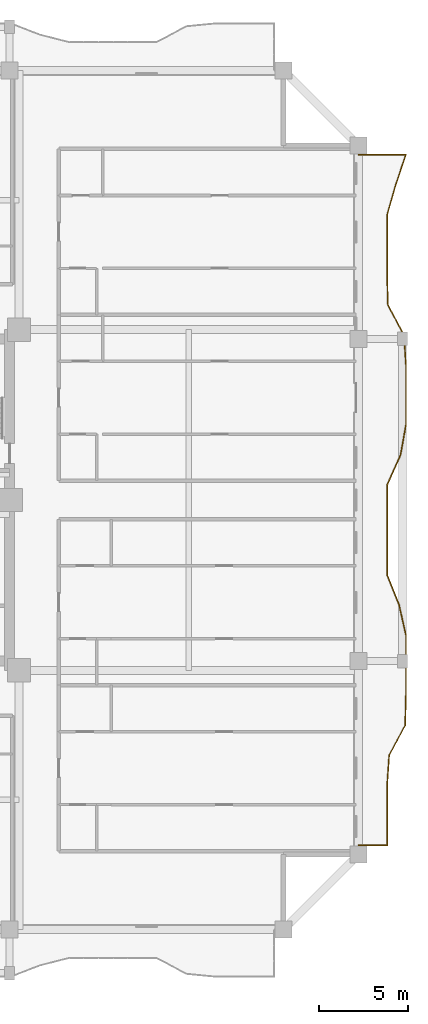
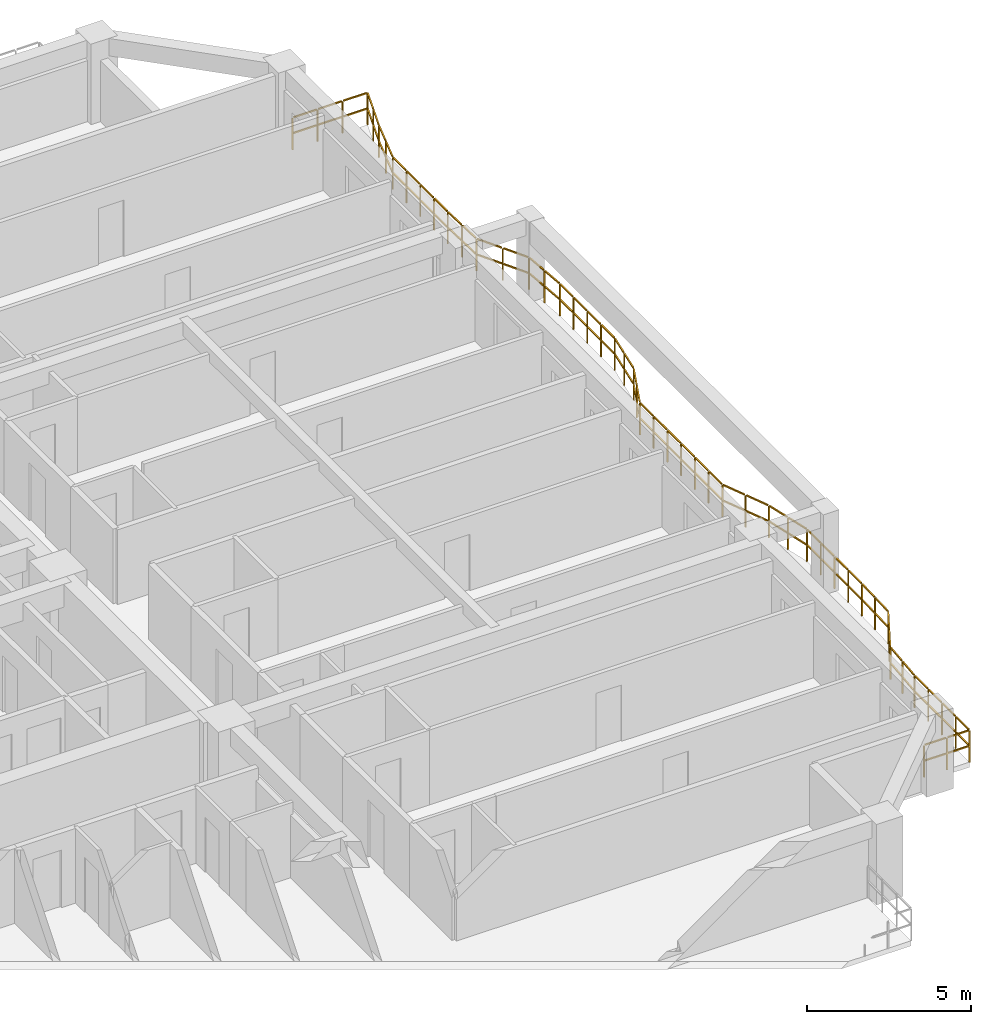
# One storey, part 12 of 13: 1 railing.
"""IFC4 building model written with IfcOpenShell, lengths in metres."""

from ifc_helpers import new_model, si_unit, direction, frame, origin, origin_2d, place, context, subcontext, project, spatial, rectangle, extrude, material, type_object, element, save


model = new_model("IFC4")

# Units and contexts
model_context = context("Model", 3, precision=1e-05, world=origin(), true_north=direction((0.0, 1.0)))
body_context = subcontext(model_context, "Body", "Model", "MODEL_VIEW")
ifc_project = project(units=[si_unit("LENGTHUNIT", "METRE"), si_unit("AREAUNIT", "SQUARE_METRE"), si_unit("VOLUMEUNIT", "CUBIC_METRE"), si_unit("PLANEANGLEUNIT", "RADIAN"), si_unit("MASSUNIT", "GRAM", prefix="KILO")], contexts=[model_context])

# Site, building, storey
site_placement = place(None, origin())
site = spatial("IfcSite", under=ifc_project, at=site_placement, CompositionType="ELEMENT")
building_placement = place(site_placement, origin())
building = spatial("IfcBuilding", under=site, at=building_placement, Name="Saelheon Loggia Tower", CompositionType="ELEMENT")
storey_placement = place(building_placement, frame((0.0, 0.0, 104.85009765625)))
storey = spatial("IfcBuildingStorey", under=building, at=storey_placement, Name="L33", CompositionType="ELEMENT", Elevation=104.85009765625)

# Railing
ifc_material = material(Name="Architectural Precast Concrete and Laminated Glass Guard", Category="concrete")
railing_type = type_object("IfcRailingType", Name="Guard_Loggia_RL_LOG", PredefinedType="BALUSTRADE", material=ifc_material)
railing_placement = place(storey_placement, frame((64.0, 7.699951171875, 0.0)))
element("IfcRailing", 1, at=railing_placement, inside=storey, type_object=railing_type, Name="L33 East Loggia Balustrade", PredefinedType="BALUSTRADE", context=body_context, shape_type="SweptSolid", body=[
    extrude(rectangle(XDim=0.048095703125, YDim=0.048095703125, at=origin_2d()), frame((0.033203125, 0.0, 1.19580078125), z_axis=(1.0, 0.0, 0.0), x_axis=(0.0, 1.0, 0.0)), (0.0, 0.0, 1.0), 0.733642578125),
    extrude(rectangle(XDim=0.048095703125, YDim=0.048095703125, at=origin_2d()), frame((0.033203125, 0.0, 0.60986328125), z_axis=(1.0, 0.0, 0.0), x_axis=(0.0, 1.0, 0.0)), (0.0, 0.0, 1.0), 0.733642578125),
    extrude(rectangle(XDim=0.048095703125, YDim=0.048095703125, at=origin_2d()), frame((0.833251953125, 0.0, 1.19580078125), z_axis=(1.0, 0.0, 0.0), x_axis=(0.0, 1.0, 0.0)), (0.0, 0.0, 1.0), 0.733642578125),
    extrude(rectangle(XDim=0.048095703125, YDim=0.048095703125, at=origin_2d()), frame((0.833251953125, 0.0, 0.60986328125), z_axis=(1.0, 0.0, 0.0), x_axis=(0.0, 1.0, 0.0)), (0.0, 0.0, 1.0), 0.733642578125),
    extrude(rectangle(XDim=0.048095703125, YDim=0.048095703125, at=origin_2d()), frame((1.60009765625, 0.033203125, 1.19580078125), z_axis=(0.0, 1.0, 0.0), x_axis=(-1.0, 0.0, 0.0)), (0.0, 0.0, 1.0), 0.772705078125),
    extrude(rectangle(XDim=0.048095703125, YDim=0.048095703125, at=origin_2d()), frame((1.60009765625, 0.033203125, 0.60986328125), z_axis=(0.0, 1.0, 0.0), x_axis=(-1.0, 0.0, 0.0)), (0.0, 0.0, 1.0), 0.772705078125),
    extrude(rectangle(XDim=0.048095703125, YDim=0.048095703125, at=origin_2d()), frame((1.60009765625, 0.87255859375, 1.19580078125), z_axis=(0.0, 1.0, 0.0), x_axis=(-1.0, 0.0, 0.0)), (0.0, 0.0, 1.0), 0.772705078125),
    extrude(rectangle(XDim=0.048095703125, YDim=0.048095703125, at=origin_2d()), frame((1.60009765625, 0.87255859375, 0.60986328125), z_axis=(0.0, 1.0, 0.0), x_axis=(-1.0, 0.0, 0.0)), (0.0, 0.0, 1.0), 0.772705078125),
    extrude(rectangle(XDim=0.048095703125, YDim=0.048095703125, at=origin_2d()), frame((1.60009765625, 1.711669921875, 1.19580078125), z_axis=(0.0, 1.0, 0.0), x_axis=(-1.0, 0.0, 0.0)), (0.0, 0.0, 1.0), 0.7724609375),
    extrude(rectangle(XDim=0.048095703125, YDim=0.048095703125, at=origin_2d()), frame((1.60009765625, 1.711669921875, 0.60986328125), z_axis=(0.0, 1.0, 0.0), x_axis=(-1.0, 0.0, 0.0)), (0.0, 0.0, 1.0), 0.7724609375),
    extrude(rectangle(XDim=0.048095703125, YDim=0.048095703125, at=origin_2d()), frame((1.60009765625, 2.55078125, 1.19580078125), z_axis=(0.0, 1.0, 0.0), x_axis=(-1.0, 0.0, 0.0)), (0.0, 0.0, 1.0), 0.7724609375),
    extrude(rectangle(XDim=0.048095703125, YDim=0.048095703125, at=origin_2d()), frame((1.60009765625, 2.55078125, 0.60986328125), z_axis=(0.0, 1.0, 0.0), x_axis=(-1.0, 0.0, 0.0)), (0.0, 0.0, 1.0), 0.7724609375),
    extrude(rectangle(XDim=0.048095703125, YDim=0.048095703125, at=origin_2d()), frame((1.602294921875, 3.3896484375, 1.19580078125), z_axis=(0.068059999537, 0.997681229884, 0.0), x_axis=(-0.997681229884, 0.068059999537, 0.0)), (0.0, 0.0, 1.0), 0.774658203125),
    extrude(rectangle(XDim=0.048095703125, YDim=0.048095703125, at=origin_2d()), frame((1.602294921875, 3.3896484375, 0.60986328125), z_axis=(0.068059999537, 0.997681229884, 0.0), x_axis=(-0.997681229884, 0.068059999537, 0.0)), (0.0, 0.0, 1.0), 0.774658203125),
    extrude(rectangle(XDim=0.048095703125, YDim=0.048095703125, at=origin_2d()), frame((1.65966796875, 4.228759765625, 1.19580078125), z_axis=(0.068059999537, 0.997681229884, 0.0), x_axis=(-0.997681229884, 0.068059999537, 0.0)), (0.0, 0.0, 1.0), 0.774658203125),
    extrude(rectangle(XDim=0.048095703125, YDim=0.048095703125, at=origin_2d()), frame((1.65966796875, 4.228759765625, 0.60986328125), z_axis=(0.068059999537, 0.997681229884, 0.0), x_axis=(-0.997681229884, 0.068059999537, 0.0)), (0.0, 0.0, 1.0), 0.774658203125),
    extrude(rectangle(XDim=0.048095703125, YDim=0.048095703125, at=origin_2d()), frame((1.730224609375, 5.064208984375, 1.19580078125), z_axis=(0.4706748388, 0.882306747181, 0.0), x_axis=(-0.882306747181, 0.4706748388, 0.0)), (0.0, 0.0, 1.0), 0.884521484375),
    extrude(rectangle(XDim=0.048095703125, YDim=0.048095703125, at=origin_2d()), frame((1.730224609375, 5.064208984375, 0.60986328125), z_axis=(0.4706748388, 0.882306747181, 0.0), x_axis=(-0.882306747181, 0.4706748388, 0.0)), (0.0, 0.0, 1.0), 0.884521484375),
    extrude(rectangle(XDim=0.048095703125, YDim=0.048095703125, at=origin_2d()), frame((2.177978515625, 5.9033203125, 1.19580078125), z_axis=(0.4706748388, 0.882306747181, 0.0), x_axis=(-0.882306747181, 0.4706748388, 0.0)), (0.0, 0.0, 1.0), 0.884521484375),
    extrude(rectangle(XDim=0.048095703125, YDim=0.048095703125, at=origin_2d()), frame((2.177978515625, 5.9033203125, 0.60986328125), z_axis=(0.4706748388, 0.882306747181, 0.0), x_axis=(-0.882306747181, 0.4706748388, 0.0)), (0.0, 0.0, 1.0), 0.884521484375),
    extrude(rectangle(XDim=0.048095703125, YDim=0.048095703125, at=origin_2d()), frame((2.610595703125, 6.746337890625, 1.19580078125), z_axis=(0.023851228559, 0.999715518983, 0.0), x_axis=(-0.999715518983, 0.023851228559, 0.0)), (0.0, 0.0, 1.0), 0.77294921875),
    extrude(rectangle(XDim=0.048095703125, YDim=0.048095703125, at=origin_2d()), frame((2.610595703125, 6.746337890625, 0.60986328125), z_axis=(0.023851228559, 0.999715518983, 0.0), x_axis=(-0.999715518983, 0.023851228559, 0.0)), (0.0, 0.0, 1.0), 0.77294921875),
    extrude(rectangle(XDim=0.048095703125, YDim=0.048095703125, at=origin_2d()), frame((2.630615234375, 7.58544921875, 1.19580078125), z_axis=(0.023851228559, 0.999715518983, 0.0), x_axis=(-0.999715518983, 0.023851228559, 0.0)), (0.0, 0.0, 1.0), 0.77294921875),
    extrude(rectangle(XDim=0.048095703125, YDim=0.048095703125, at=origin_2d()), frame((2.630615234375, 7.58544921875, 0.60986328125), z_axis=(0.023851228559, 0.999715518983, 0.0), x_axis=(-0.999715518983, 0.023851228559, 0.0)), (0.0, 0.0, 1.0), 0.77294921875),
    extrude(rectangle(XDim=0.048095703125, YDim=0.048095703125, at=origin_2d()), frame((2.64990234375, 8.424560546875, 1.19580078125), z_axis=(0.0, 1.0, 0.0), x_axis=(-1.0, 0.0, 0.0)), (0.0, 0.0, 1.0), 0.772705078125),
    extrude(rectangle(XDim=0.048095703125, YDim=0.048095703125, at=origin_2d()), frame((2.64990234375, 8.424560546875, 0.60986328125), z_axis=(0.0, 1.0, 0.0), x_axis=(-1.0, 0.0, 0.0)), (0.0, 0.0, 1.0), 0.772705078125),
    extrude(rectangle(XDim=0.048095703125, YDim=0.048095703125, at=origin_2d()), frame((2.64990234375, 9.263671875, 1.19580078125), z_axis=(0.0, 1.0, 0.0), x_axis=(-1.0, 0.0, 0.0)), (0.0, 0.0, 1.0), 0.772705078125),
    extrude(rectangle(XDim=0.048095703125, YDim=0.048095703125, at=origin_2d()), frame((2.64990234375, 9.263671875, 0.60986328125), z_axis=(0.0, 1.0, 0.0), x_axis=(-1.0, 0.0, 0.0)), (0.0, 0.0, 1.0), 0.772705078125),
    extrude(rectangle(XDim=0.048095703125, YDim=0.048095703125, at=origin_2d()), frame((2.64990234375, 10.102783203125, 1.19580078125), z_axis=(0.0, 1.0, 0.0), x_axis=(-1.0, 0.0, 0.0)), (0.0, 0.0, 1.0), 0.772705078125),
    extrude(rectangle(XDim=0.048095703125, YDim=0.048095703125, at=origin_2d()), frame((2.64990234375, 10.102783203125, 0.60986328125), z_axis=(0.0, 1.0, 0.0), x_axis=(-1.0, 0.0, 0.0)), (0.0, 0.0, 1.0), 0.772705078125),
    extrude(rectangle(XDim=0.048095703125, YDim=0.048095703125, at=origin_2d()), frame((2.64990234375, 10.94189453125, 1.19580078125), z_axis=(0.0, 1.0, 0.0), x_axis=(-1.0, 0.0, 0.0)), (0.0, 0.0, 1.0), 0.772705078125),
    extrude(rectangle(XDim=0.048095703125, YDim=0.048095703125, at=origin_2d()), frame((2.64990234375, 10.94189453125, 0.60986328125), z_axis=(0.0, 1.0, 0.0), x_axis=(-1.0, 0.0, 0.0)), (0.0, 0.0, 1.0), 0.772705078125),
    extrude(rectangle(XDim=0.048095703125, YDim=0.048095703125, at=origin_2d()), frame((2.642578125, 11.7802734375, 1.19580078125), z_axis=(-0.219934224099, 0.975514703667, 0.0), x_axis=(-0.975514703667, -0.219934224099, 0.0)), (0.0, 0.0, 1.0), 0.7939453125),
    extrude(rectangle(XDim=0.048095703125, YDim=0.048095703125, at=origin_2d()), frame((2.642578125, 11.7802734375, 0.60986328125), z_axis=(-0.219934224099, 0.975514703667, 0.0), x_axis=(-0.975514703667, -0.219934224099, 0.0)), (0.0, 0.0, 1.0), 0.7939453125),
    extrude(rectangle(XDim=0.048095703125, YDim=0.048095703125, at=origin_2d()), frame((2.453369140625, 12.619384765625, 1.19580078125), z_axis=(-0.219934224099, 0.975514703667, 0.0), x_axis=(-0.975514703667, -0.219934224099, 0.0)), (0.0, 0.0, 1.0), 0.7939453125),
    extrude(rectangle(XDim=0.048095703125, YDim=0.048095703125, at=origin_2d()), frame((2.453369140625, 12.619384765625, 0.60986328125), z_axis=(-0.219934224099, 0.975514703667, 0.0), x_axis=(-0.975514703667, -0.219934224099, 0.0)), (0.0, 0.0, 1.0), 0.7939453125),
    extrude(rectangle(XDim=0.048095703125, YDim=0.048095703125, at=origin_2d()), frame((2.259033203125, 13.45703125, 1.19580078125), z_axis=(-0.371483836575, 0.928439421375, 0.0), x_axis=(-0.928439421375, -0.371483836575, 0.0)), (0.0, 0.0, 1.0), 0.837158203125),
    extrude(rectangle(XDim=0.048095703125, YDim=0.048095703125, at=origin_2d()), frame((2.259033203125, 13.45703125, 0.60986328125), z_axis=(-0.371483836575, 0.928439421375, 0.0), x_axis=(-0.928439421375, -0.371483836575, 0.0)), (0.0, 0.0, 1.0), 0.837158203125),
    extrude(rectangle(XDim=0.048095703125, YDim=0.048095703125, at=origin_2d()), frame((1.92333984375, 14.296142578125, 1.19580078125), z_axis=(-0.371483836575, 0.928439421375, 0.0), x_axis=(-0.928439421375, -0.371483836575, 0.0)), (0.0, 0.0, 1.0), 0.837158203125),
    extrude(rectangle(XDim=0.048095703125, YDim=0.048095703125, at=origin_2d()), frame((1.92333984375, 14.296142578125, 0.60986328125), z_axis=(-0.371483836575, 0.928439421375, 0.0), x_axis=(-0.928439421375, -0.371483836575, 0.0)), (0.0, 0.0, 1.0), 0.837158203125),
    extrude(rectangle(XDim=0.048095703125, YDim=0.048095703125, at=origin_2d()), frame((1.60009765625, 15.137451171875, 1.19580078125), z_axis=(0.0, 1.0, 0.0), x_axis=(-1.0, 0.0, 0.0)), (0.0, 0.0, 1.0), 0.772705078125),
    extrude(rectangle(XDim=0.048095703125, YDim=0.048095703125, at=origin_2d()), frame((1.60009765625, 15.137451171875, 0.60986328125), z_axis=(0.0, 1.0, 0.0), x_axis=(-1.0, 0.0, 0.0)), (0.0, 0.0, 1.0), 0.772705078125),
    extrude(rectangle(XDim=0.048095703125, YDim=0.048095703125, at=origin_2d()), frame((1.60009765625, 15.976806640625, 1.19580078125), z_axis=(0.0, 1.0, 0.0), x_axis=(-1.0, 0.0, 0.0)), (0.0, 0.0, 1.0), 0.772705078125),
    extrude(rectangle(XDim=0.048095703125, YDim=0.048095703125, at=origin_2d()), frame((1.60009765625, 15.976806640625, 0.60986328125), z_axis=(0.0, 1.0, 0.0), x_axis=(-1.0, 0.0, 0.0)), (0.0, 0.0, 1.0), 0.772705078125),
    extrude(rectangle(XDim=0.048095703125, YDim=0.048095703125, at=origin_2d()), frame((1.60009765625, 16.81591796875, 1.19580078125), z_axis=(0.0, 1.0, 0.0), x_axis=(-1.0, 0.0, 0.0)), (0.0, 0.0, 1.0), 0.772705078125),
    extrude(rectangle(XDim=0.048095703125, YDim=0.048095703125, at=origin_2d()), frame((1.60009765625, 16.81591796875, 0.60986328125), z_axis=(0.0, 1.0, 0.0), x_axis=(-1.0, 0.0, 0.0)), (0.0, 0.0, 1.0), 0.772705078125),
    extrude(rectangle(XDim=0.048095703125, YDim=0.048095703125, at=origin_2d()), frame((1.60009765625, 17.655029296875, 1.19580078125), z_axis=(0.0, 1.0, 0.0), x_axis=(-1.0, 0.0, 0.0)), (0.0, 0.0, 1.0), 0.772705078125),
    extrude(rectangle(XDim=0.048095703125, YDim=0.048095703125, at=origin_2d()), frame((1.60009765625, 17.655029296875, 0.60986328125), z_axis=(0.0, 1.0, 0.0), x_axis=(-1.0, 0.0, 0.0)), (0.0, 0.0, 1.0), 0.772705078125),
    extrude(rectangle(XDim=0.048095703125, YDim=0.048095703125, at=origin_2d()), frame((1.60009765625, 18.494140625, 1.19580078125), z_axis=(0.0, 1.0, 0.0), x_axis=(-1.0, 0.0, 0.0)), (0.0, 0.0, 1.0), 0.772705078125),
    extrude(rectangle(XDim=0.048095703125, YDim=0.048095703125, at=origin_2d()), frame((1.60009765625, 18.494140625, 0.60986328125), z_axis=(0.0, 1.0, 0.0), x_axis=(-1.0, 0.0, 0.0)), (0.0, 0.0, 1.0), 0.772705078125),
    extrude(rectangle(XDim=0.048095703125, YDim=0.048095703125, at=origin_2d()), frame((1.60009765625, 19.333251953125, 1.19580078125), z_axis=(0.0, 1.0, 0.0), x_axis=(-1.0, 0.0, 0.0)), (0.0, 0.0, 1.0), 0.772705078125),
    extrude(rectangle(XDim=0.048095703125, YDim=0.048095703125, at=origin_2d()), frame((1.60009765625, 19.333251953125, 0.60986328125), z_axis=(0.0, 1.0, 0.0), x_axis=(-1.0, 0.0, 0.0)), (0.0, 0.0, 1.0), 0.772705078125),
    extrude(rectangle(XDim=0.048095703125, YDim=0.048095703125, at=origin_2d()), frame((1.613525390625, 20.16943359375, 1.19580078125), z_axis=(0.407567762137, 0.913174966404, 0.0), x_axis=(-0.913174966404, 0.407567762137, 0.0)), (0.0, 0.0, 1.0), 0.8525390625),
    extrude(rectangle(XDim=0.048095703125, YDim=0.048095703125, at=origin_2d()), frame((1.613525390625, 20.16943359375, 0.60986328125), z_axis=(0.407567762137, 0.913174966404, 0.0), x_axis=(-0.913174966404, 0.407567762137, 0.0)), (0.0, 0.0, 1.0), 0.8525390625),
    extrude(rectangle(XDim=0.048095703125, YDim=0.048095703125, at=origin_2d()), frame((1.988037109375, 21.008544921875, 1.19580078125), z_axis=(0.407567762137, 0.913174966404, 0.0), x_axis=(-0.913174966404, 0.407567762137, 0.0)), (0.0, 0.0, 1.0), 0.8525390625),
    extrude(rectangle(XDim=0.048095703125, YDim=0.048095703125, at=origin_2d()), frame((1.988037109375, 21.008544921875, 0.60986328125), z_axis=(0.407567762137, 0.913174966404, 0.0), x_axis=(-0.913174966404, 0.407567762137, 0.0)), (0.0, 0.0, 1.0), 0.8525390625),
    extrude(rectangle(XDim=0.048095703125, YDim=0.048095703125, at=origin_2d()), frame((2.35498046875, 21.85009765625, 1.19580078125), z_axis=(0.176390201741, 0.984320322217, 0.0), x_axis=(-0.984320322217, 0.176390201741, 0.0)), (0.0, 0.0, 1.0), 0.7861328125),
    extrude(rectangle(XDim=0.048095703125, YDim=0.048095703125, at=origin_2d()), frame((2.35498046875, 21.85009765625, 0.60986328125), z_axis=(0.176390201741, 0.984320322217, 0.0), x_axis=(-0.984320322217, 0.176390201741, 0.0)), (0.0, 0.0, 1.0), 0.7861328125),
    extrude(rectangle(XDim=0.048095703125, YDim=0.048095703125, at=origin_2d()), frame((2.50537109375, 22.689208984375, 1.19580078125), z_axis=(0.176390201741, 0.984320322217, 0.0), x_axis=(-0.984320322217, 0.176390201741, 0.0)), (0.0, 0.0, 1.0), 0.7861328125),
    extrude(rectangle(XDim=0.048095703125, YDim=0.048095703125, at=origin_2d()), frame((2.50537109375, 22.689208984375, 0.60986328125), z_axis=(0.176390201741, 0.984320322217, 0.0), x_axis=(-0.984320322217, 0.176390201741, 0.0)), (0.0, 0.0, 1.0), 0.7861328125),
    extrude(rectangle(XDim=0.048095703125, YDim=0.048095703125, at=origin_2d()), frame((2.64990234375, 23.529052734375, 1.19580078125), z_axis=(0.0, 1.0, 0.0), x_axis=(-1.0, 0.0, 0.0)), (0.0, 0.0, 1.0), 0.7724609375),
    extrude(rectangle(XDim=0.048095703125, YDim=0.048095703125, at=origin_2d()), frame((2.64990234375, 23.529052734375, 0.60986328125), z_axis=(0.0, 1.0, 0.0), x_axis=(-1.0, 0.0, 0.0)), (0.0, 0.0, 1.0), 0.7724609375),
    extrude(rectangle(XDim=0.048095703125, YDim=0.048095703125, at=origin_2d()), frame((2.64990234375, 24.3681640625, 1.19580078125), z_axis=(0.0, 1.0, 0.0), x_axis=(-1.0, 0.0, 0.0)), (0.0, 0.0, 1.0), 0.7724609375),
    extrude(rectangle(XDim=0.048095703125, YDim=0.048095703125, at=origin_2d()), frame((2.64990234375, 24.3681640625, 0.60986328125), z_axis=(0.0, 1.0, 0.0), x_axis=(-1.0, 0.0, 0.0)), (0.0, 0.0, 1.0), 0.7724609375),
    extrude(rectangle(XDim=0.048095703125, YDim=0.048095703125, at=origin_2d()), frame((2.64990234375, 25.20703125, 1.19580078125), z_axis=(0.0, 1.0, 0.0), x_axis=(-1.0, 0.0, 0.0)), (0.0, 0.0, 1.0), 0.772705078125),
    extrude(rectangle(XDim=0.048095703125, YDim=0.048095703125, at=origin_2d()), frame((2.64990234375, 25.20703125, 0.60986328125), z_axis=(0.0, 1.0, 0.0), x_axis=(-1.0, 0.0, 0.0)), (0.0, 0.0, 1.0), 0.772705078125),
    extrude(rectangle(XDim=0.048095703125, YDim=0.048095703125, at=origin_2d()), frame((2.64990234375, 26.04638671875, 1.19580078125), z_axis=(0.0, 1.0, 0.0), x_axis=(-1.0, 0.0, 0.0)), (0.0, 0.0, 1.0), 0.772705078125),
    extrude(rectangle(XDim=0.048095703125, YDim=0.048095703125, at=origin_2d()), frame((2.64990234375, 26.04638671875, 0.60986328125), z_axis=(0.0, 1.0, 0.0), x_axis=(-1.0, 0.0, 0.0)), (0.0, 0.0, 1.0), 0.772705078125),
    extrude(rectangle(XDim=0.048095703125, YDim=0.048095703125, at=origin_2d()), frame((2.647705078125, 26.885498046875, 1.19580078125), z_axis=(-0.06778091462, 0.997700229334, 0.0), x_axis=(-0.997700229334, -0.06778091462, 0.0)), (0.0, 0.0, 1.0), 0.774658203125),
    extrude(rectangle(XDim=0.048095703125, YDim=0.048095703125, at=origin_2d()), frame((2.647705078125, 26.885498046875, 0.60986328125), z_axis=(-0.06778091462, 0.997700229334, 0.0), x_axis=(-0.997700229334, -0.06778091462, 0.0)), (0.0, 0.0, 1.0), 0.774658203125),
    extrude(rectangle(XDim=0.048095703125, YDim=0.048095703125, at=origin_2d()), frame((2.590576171875, 27.724609375, 1.19580078125), z_axis=(-0.06778091462, 0.997700229334, 0.0), x_axis=(-0.997700229334, -0.06778091462, 0.0)), (0.0, 0.0, 1.0), 0.774658203125),
    extrude(rectangle(XDim=0.048095703125, YDim=0.048095703125, at=origin_2d()), frame((2.590576171875, 27.724609375, 0.60986328125), z_axis=(-0.06778091462, 0.997700229334, 0.0), x_axis=(-0.997700229334, -0.06778091462, 0.0)), (0.0, 0.0, 1.0), 0.774658203125),
    extrude(rectangle(XDim=0.048095703125, YDim=0.048095703125, at=origin_2d()), frame((2.520263671875, 28.559814453125, 1.19580078125), z_axis=(-0.470275016821, 0.882519919636, 0.0), x_axis=(-0.882519919636, -0.470275016821, 0.0)), (0.0, 0.0, 1.0), 0.88427734375),
    extrude(rectangle(XDim=0.048095703125, YDim=0.048095703125, at=origin_2d()), frame((2.520263671875, 28.559814453125, 0.60986328125), z_axis=(-0.470275016821, 0.882519919636, 0.0), x_axis=(-0.882519919636, -0.470275016821, 0.0)), (0.0, 0.0, 1.0), 0.88427734375),
    extrude(rectangle(XDim=0.048095703125, YDim=0.048095703125, at=origin_2d()), frame((2.072998046875, 29.39892578125, 1.19580078125), z_axis=(-0.470275016821, 0.882519919636, 0.0), x_axis=(-0.882519919636, -0.470275016821, 0.0)), (0.0, 0.0, 1.0), 0.88427734375),
    extrude(rectangle(XDim=0.048095703125, YDim=0.048095703125, at=origin_2d()), frame((2.072998046875, 29.39892578125, 0.60986328125), z_axis=(-0.470275016821, 0.882519919636, 0.0), x_axis=(-0.882519919636, -0.470275016821, 0.0)), (0.0, 0.0, 1.0), 0.88427734375),
    extrude(rectangle(XDim=0.048095703125, YDim=0.048095703125, at=origin_2d()), frame((1.640869140625, 30.241943359375, 1.19580078125), z_axis=(-0.024723310515, 0.999694332242, 0.0), x_axis=(-0.999694332242, -0.024723310515, 0.0)), (0.0, 0.0, 1.0), 0.77294921875),
    extrude(rectangle(XDim=0.048095703125, YDim=0.048095703125, at=origin_2d()), frame((1.640869140625, 30.241943359375, 0.60986328125), z_axis=(-0.024723310515, 0.999694332242, 0.0), x_axis=(-0.999694332242, -0.024723310515, 0.0)), (0.0, 0.0, 1.0), 0.77294921875),
    extrude(rectangle(XDim=0.048095703125, YDim=0.048095703125, at=origin_2d()), frame((1.6201171875, 31.0810546875, 1.19580078125), z_axis=(-0.024723310515, 0.999694332242, 0.0), x_axis=(-0.999694332242, -0.024723310515, 0.0)), (0.0, 0.0, 1.0), 0.77294921875),
    extrude(rectangle(XDim=0.048095703125, YDim=0.048095703125, at=origin_2d()), frame((1.6201171875, 31.0810546875, 0.60986328125), z_axis=(-0.024723310515, 0.999694332242, 0.0), x_axis=(-0.999694332242, -0.024723310515, 0.0)), (0.0, 0.0, 1.0), 0.77294921875),
    extrude(rectangle(XDim=0.048095703125, YDim=0.048095703125, at=origin_2d()), frame((1.60009765625, 31.920166015625, 1.19580078125), z_axis=(0.0, 1.0, 0.0), x_axis=(-1.0, 0.0, 0.0)), (0.0, 0.0, 1.0), 0.772705078125),
    extrude(rectangle(XDim=0.048095703125, YDim=0.048095703125, at=origin_2d()), frame((1.60009765625, 31.920166015625, 0.60986328125), z_axis=(0.0, 1.0, 0.0), x_axis=(-1.0, 0.0, 0.0)), (0.0, 0.0, 1.0), 0.772705078125),
    extrude(rectangle(XDim=0.048095703125, YDim=0.048095703125, at=origin_2d()), frame((1.60009765625, 32.75927734375, 1.19580078125), z_axis=(0.0, 1.0, 0.0), x_axis=(-1.0, 0.0, 0.0)), (0.0, 0.0, 1.0), 0.772705078125),
    extrude(rectangle(XDim=0.048095703125, YDim=0.048095703125, at=origin_2d()), frame((1.60009765625, 32.75927734375, 0.60986328125), z_axis=(0.0, 1.0, 0.0), x_axis=(-1.0, 0.0, 0.0)), (0.0, 0.0, 1.0), 0.772705078125),
    extrude(rectangle(XDim=0.048095703125, YDim=0.048095703125, at=origin_2d()), frame((1.60009765625, 33.598388671875, 1.19580078125), z_axis=(0.0, 1.0, 0.0), x_axis=(-1.0, 0.0, 0.0)), (0.0, 0.0, 1.0), 0.772705078125),
    extrude(rectangle(XDim=0.048095703125, YDim=0.048095703125, at=origin_2d()), frame((1.60009765625, 33.598388671875, 0.60986328125), z_axis=(0.0, 1.0, 0.0), x_axis=(-1.0, 0.0, 0.0)), (0.0, 0.0, 1.0), 0.772705078125),
    extrude(rectangle(XDim=0.048095703125, YDim=0.048095703125, at=origin_2d()), frame((1.60009765625, 34.437744140625, 1.19580078125), z_axis=(0.0, 1.0, 0.0), x_axis=(-1.0, 0.0, 0.0)), (0.0, 0.0, 1.0), 0.772705078125),
    extrude(rectangle(XDim=0.048095703125, YDim=0.048095703125, at=origin_2d()), frame((1.60009765625, 34.437744140625, 0.60986328125), z_axis=(0.0, 1.0, 0.0), x_axis=(-1.0, 0.0, 0.0)), (0.0, 0.0, 1.0), 0.772705078125),
    extrude(rectangle(XDim=0.048095703125, YDim=0.048095703125, at=origin_2d()), frame((1.609130859375, 35.275634765625, 1.19580078125), z_axis=(0.275146022747, 0.961402447556, 0.0), x_axis=(-0.961402447556, 0.275146022747, 0.0)), (0.0, 0.0, 1.0), 0.80615234375),
    extrude(rectangle(XDim=0.048095703125, YDim=0.048095703125, at=origin_2d()), frame((1.609130859375, 35.275634765625, 0.60986328125), z_axis=(0.275146022747, 0.961402447556, 0.0), x_axis=(-0.961402447556, 0.275146022747, 0.0)), (0.0, 0.0, 1.0), 0.80615234375),
    extrude(rectangle(XDim=0.048095703125, YDim=0.048095703125, at=origin_2d()), frame((1.849365234375, 36.114501953125, 1.19580078125), z_axis=(0.275146022747, 0.961402447556, 0.0), x_axis=(-0.961402447556, 0.275146022747, 0.0)), (0.0, 0.0, 1.0), 0.80615234375),
    extrude(rectangle(XDim=0.048095703125, YDim=0.048095703125, at=origin_2d()), frame((1.849365234375, 36.114501953125, 0.60986328125), z_axis=(0.275146022747, 0.961402447556, 0.0), x_axis=(-0.961402447556, 0.275146022747, 0.0)), (0.0, 0.0, 1.0), 0.80615234375),
    extrude(rectangle(XDim=0.048095703125, YDim=0.048095703125, at=origin_2d()), frame((2.091064453125, 36.953125, 1.19580078125), z_axis=(0.321347076039, 0.946961486398, 0.0), x_axis=(-0.946961486398, 0.321347076039, 0.0)), (0.0, 0.0, 1.0), 0.81982421875),
    extrude(rectangle(XDim=0.048095703125, YDim=0.048095703125, at=origin_2d()), frame((2.091064453125, 36.953125, 0.60986328125), z_axis=(0.321347076039, 0.946961486398, 0.0), x_axis=(-0.946961486398, 0.321347076039, 0.0)), (0.0, 0.0, 1.0), 0.81982421875),
    extrude(rectangle(XDim=0.048095703125, YDim=0.048095703125, at=origin_2d()), frame((2.375732421875, 37.792236328125, 1.19580078125), z_axis=(0.321347076039, 0.946961486398, 0.0), x_axis=(-0.946961486398, 0.321347076039, 0.0)), (0.0, 0.0, 1.0), 0.81982421875),
    extrude(rectangle(XDim=0.048095703125, YDim=0.048095703125, at=origin_2d()), frame((2.375732421875, 37.792236328125, 0.60986328125), z_axis=(0.321347076039, 0.946961486398, 0.0), x_axis=(-0.946961486398, 0.321347076039, 0.0)), (0.0, 0.0, 1.0), 0.81982421875),
    extrude(rectangle(XDim=0.048095703125, YDim=0.048095703125, at=origin_2d()), frame((2.61669921875, 38.60009765625, 1.19580078125), z_axis=(-1.0, 0.0, 0.0), x_axis=(0.0, -1.0, 0.0)), (0.0, 0.0, 1.0), 0.81689453125),
    extrude(rectangle(XDim=0.048095703125, YDim=0.048095703125, at=origin_2d()), frame((2.61669921875, 38.60009765625, 0.60986328125), z_axis=(-1.0, 0.0, 0.0), x_axis=(0.0, -1.0, 0.0)), (0.0, 0.0, 1.0), 0.81689453125),
    extrude(rectangle(XDim=0.048095703125, YDim=0.048095703125, at=origin_2d()), frame((1.7333984375, 38.60009765625, 1.19580078125), z_axis=(-1.0, 0.0, 0.0), x_axis=(0.0, -1.0, 0.0)), (0.0, 0.0, 1.0), 0.81689453125),
    extrude(rectangle(XDim=0.048095703125, YDim=0.048095703125, at=origin_2d()), frame((1.7333984375, 38.60009765625, 0.60986328125), z_axis=(-1.0, 0.0, 0.0), x_axis=(0.0, -1.0, 0.0)), (0.0, 0.0, 1.0), 0.81689453125),
    extrude(rectangle(XDim=0.048095703125, YDim=0.048095703125, at=origin_2d()), frame((0.85009765625, 38.60009765625, 1.19580078125), z_axis=(-1.0, 0.0, 0.0), x_axis=(0.0, -1.0, 0.0)), (0.0, 0.0, 1.0), 0.81689453125),
    extrude(rectangle(XDim=0.048095703125, YDim=0.048095703125, at=origin_2d()), frame((0.85009765625, 38.60009765625, 0.60986328125), z_axis=(-1.0, 0.0, 0.0), x_axis=(0.0, -1.0, 0.0)), (0.0, 0.0, 1.0), 0.81689453125),
    extrude(rectangle(XDim=0.0419921875, YDim=0.0419921875, at=origin_2d()), origin(), (0.0, 0.0, 1.0), 1.16796875),
    extrude(rectangle(XDim=0.0419921875, YDim=0.0419921875, at=origin_2d()), frame((0.800048828125, 0.0, 0.0)), (0.0, 0.0, 1.0), 1.16796875),
    extrude(rectangle(XDim=0.0419921875, YDim=0.0419921875, at=origin_2d()), frame((1.60009765625, 0.0, 0.0)), (0.0, 0.0, 1.0), 1.16796875),
    extrude(rectangle(XDim=0.0419921875, YDim=0.0419921875, at=origin_2d()), frame((1.60009765625, 0.83935546875, 0.0)), (0.0, 0.0, 1.0), 1.16796875),
    extrude(rectangle(XDim=0.0419921875, YDim=0.0419921875, at=origin_2d()), frame((1.60009765625, 1.678466796875, 0.0)), (0.0, 0.0, 1.0), 1.16796875),
    extrude(rectangle(XDim=0.0419921875, YDim=0.0419921875, at=origin_2d()), frame((1.60009765625, 2.517578125, 0.0)), (0.0, 0.0, 1.0), 1.16796875),
    extrude(rectangle(XDim=0.0419921875, YDim=0.0419921875, at=origin_2d()), frame((1.60009765625, 3.3564453125, 0.0)), (0.0, 0.0, 1.0), 1.16796875),
    extrude(rectangle(XDim=0.0419921875, YDim=0.0419921875, at=origin_2d()), frame((1.6572265625, 4.19580078125, 0.0)), (0.0, 0.0, 1.0), 1.16796875),
    extrude(rectangle(XDim=0.0419921875, YDim=0.0419921875, at=origin_2d()), frame((1.714599609375, 5.034912109375, 0.0)), (0.0, 0.0, 1.0), 1.16796875),
    extrude(rectangle(XDim=0.0419921875, YDim=0.0419921875, at=origin_2d()), frame((2.162109375, 5.8740234375, 0.0)), (0.0, 0.0, 1.0), 1.16796875),
    extrude(rectangle(XDim=0.0419921875, YDim=0.0419921875, at=origin_2d()), frame((2.60986328125, 6.713134765625, 0.0)), (0.0, 0.0, 1.0), 1.16796875),
    extrude(rectangle(XDim=0.0419921875, YDim=0.0419921875, at=origin_2d()), frame((2.6298828125, 7.55224609375, 0.0)), (0.0, 0.0, 1.0), 1.16796875),
    extrude(rectangle(XDim=0.0419921875, YDim=0.0419921875, at=origin_2d()), frame((2.64990234375, 8.391357421875, 0.0)), (0.0, 0.0, 1.0), 1.16796875),
    extrude(rectangle(XDim=0.0419921875, YDim=0.0419921875, at=origin_2d()), frame((2.64990234375, 9.23046875, 0.0)), (0.0, 0.0, 1.0), 1.16796875),
    extrude(rectangle(XDim=0.0419921875, YDim=0.0419921875, at=origin_2d()), frame((2.64990234375, 10.069580078125, 0.0)), (0.0, 0.0, 1.0), 1.16796875),
    extrude(rectangle(XDim=0.0419921875, YDim=0.0419921875, at=origin_2d()), frame((2.64990234375, 10.90869140625, 0.0)), (0.0, 0.0, 1.0), 1.16796875),
    extrude(rectangle(XDim=0.0419921875, YDim=0.0419921875, at=origin_2d()), frame((2.64990234375, 11.747802734375, 0.0)), (0.0, 0.0, 1.0), 1.16796875),
    extrude(rectangle(XDim=0.0419921875, YDim=0.0419921875, at=origin_2d()), frame((2.460693359375, 12.5869140625, 0.0)), (0.0, 0.0, 1.0), 1.16796875),
    extrude(rectangle(XDim=0.0419921875, YDim=0.0419921875, at=origin_2d()), frame((2.271484375, 13.42626953125, 0.0)), (0.0, 0.0, 1.0), 1.16796875),
    extrude(rectangle(XDim=0.0419921875, YDim=0.0419921875, at=origin_2d()), frame((1.935791015625, 14.26513671875, 0.0)), (0.0, 0.0, 1.0), 1.16796875),
    extrude(rectangle(XDim=0.0419921875, YDim=0.0419921875, at=origin_2d()), frame((1.60009765625, 15.104248046875, 0.0)), (0.0, 0.0, 1.0), 1.16796875),
    extrude(rectangle(XDim=0.0419921875, YDim=0.0419921875, at=origin_2d()), frame((1.60009765625, 15.943359375, 0.0)), (0.0, 0.0, 1.0), 1.16796875),
    extrude(rectangle(XDim=0.0419921875, YDim=0.0419921875, at=origin_2d()), frame((1.60009765625, 16.78271484375, 0.0)), (0.0, 0.0, 1.0), 1.16796875),
    extrude(rectangle(XDim=0.0419921875, YDim=0.0419921875, at=origin_2d()), frame((1.60009765625, 17.621826171875, 0.0)), (0.0, 0.0, 1.0), 1.16796875),
    extrude(rectangle(XDim=0.0419921875, YDim=0.0419921875, at=origin_2d()), frame((1.60009765625, 18.4609375, 0.0)), (0.0, 0.0, 1.0), 1.16796875),
    extrude(rectangle(XDim=0.0419921875, YDim=0.0419921875, at=origin_2d()), frame((1.60009765625, 19.300048828125, 0.0)), (0.0, 0.0, 1.0), 1.16796875),
    extrude(rectangle(XDim=0.0419921875, YDim=0.0419921875, at=origin_2d()), frame((1.60009765625, 20.13916015625, 0.0)), (0.0, 0.0, 1.0), 1.16796875),
    extrude(rectangle(XDim=0.0419921875, YDim=0.0419921875, at=origin_2d()), frame((1.974609375, 20.978271484375, 0.0)), (0.0, 0.0, 1.0), 1.16796875),
    extrude(rectangle(XDim=0.0419921875, YDim=0.0419921875, at=origin_2d()), frame((2.34912109375, 21.8173828125, 0.0)), (0.0, 0.0, 1.0), 1.16796875),
    extrude(rectangle(XDim=0.0419921875, YDim=0.0419921875, at=origin_2d()), frame((2.49951171875, 22.65673828125, 0.0)), (0.0, 0.0, 1.0), 1.16796875),
    extrude(rectangle(XDim=0.0419921875, YDim=0.0419921875, at=origin_2d()), frame((2.64990234375, 23.495849609375, 0.0)), (0.0, 0.0, 1.0), 1.16796875),
    extrude(rectangle(XDim=0.0419921875, YDim=0.0419921875, at=origin_2d()), frame((2.64990234375, 24.3349609375, 0.0)), (0.0, 0.0, 1.0), 1.16796875),
    extrude(rectangle(XDim=0.0419921875, YDim=0.0419921875, at=origin_2d()), frame((2.64990234375, 25.173828125, 0.0)), (0.0, 0.0, 1.0), 1.16796875),
    extrude(rectangle(XDim=0.0419921875, YDim=0.0419921875, at=origin_2d()), frame((2.64990234375, 26.01318359375, 0.0)), (0.0, 0.0, 1.0), 1.16796875),
    extrude(rectangle(XDim=0.0419921875, YDim=0.0419921875, at=origin_2d()), frame((2.64990234375, 26.852294921875, 0.0)), (0.0, 0.0, 1.0), 1.16796875),
    extrude(rectangle(XDim=0.0419921875, YDim=0.0419921875, at=origin_2d()), frame((2.5927734375, 27.69140625, 0.0)), (0.0, 0.0, 1.0), 1.16796875),
    extrude(rectangle(XDim=0.0419921875, YDim=0.0419921875, at=origin_2d()), frame((2.535888671875, 28.530517578125, 0.0)), (0.0, 0.0, 1.0), 1.16796875),
    extrude(rectangle(XDim=0.0419921875, YDim=0.0419921875, at=origin_2d()), frame((2.0888671875, 29.36962890625, 0.0)), (0.0, 0.0, 1.0), 1.16796875),
    extrude(rectangle(XDim=0.0419921875, YDim=0.0419921875, at=origin_2d()), frame((1.6416015625, 30.208740234375, 0.0)), (0.0, 0.0, 1.0), 1.16796875),
    extrude(rectangle(XDim=0.0419921875, YDim=0.0419921875, at=origin_2d()), frame((1.620849609375, 31.0478515625, 0.0)), (0.0, 0.0, 1.0), 1.16796875),
    extrude(rectangle(XDim=0.0419921875, YDim=0.0419921875, at=origin_2d()), frame((1.60009765625, 31.886962890625, 0.0)), (0.0, 0.0, 1.0), 1.16796875),
    extrude(rectangle(XDim=0.0419921875, YDim=0.0419921875, at=origin_2d()), frame((1.60009765625, 32.72607421875, 0.0)), (0.0, 0.0, 1.0), 1.16796875),
    extrude(rectangle(XDim=0.0419921875, YDim=0.0419921875, at=origin_2d()), frame((1.60009765625, 33.565185546875, 0.0)), (0.0, 0.0, 1.0), 1.16796875),
    extrude(rectangle(XDim=0.0419921875, YDim=0.0419921875, at=origin_2d()), frame((1.60009765625, 34.404296875, 0.0)), (0.0, 0.0, 1.0), 1.16796875),
    extrude(rectangle(XDim=0.0419921875, YDim=0.0419921875, at=origin_2d()), frame((1.60009765625, 35.24365234375, 0.0)), (0.0, 0.0, 1.0), 1.16796875),
    extrude(rectangle(XDim=0.0419921875, YDim=0.0419921875, at=origin_2d()), frame((1.84033203125, 36.08251953125, 0.0)), (0.0, 0.0, 1.0), 1.16796875),
    extrude(rectangle(XDim=0.0419921875, YDim=0.0419921875, at=origin_2d()), frame((2.080322265625, 36.921630859375, 0.0)), (0.0, 0.0, 1.0), 1.16796875),
    extrude(rectangle(XDim=0.0419921875, YDim=0.0419921875, at=origin_2d()), frame((2.365234375, 37.7607421875, 0.0)), (0.0, 0.0, 1.0), 1.16796875),
    extrude(rectangle(XDim=0.0419921875, YDim=0.0419921875, at=origin_2d()), frame((2.64990234375, 38.60009765625, 0.0)), (0.0, 0.0, 1.0), 1.16796875),
    extrude(rectangle(XDim=0.0419921875, YDim=0.0419921875, at=origin_2d()), frame((1.7666015625, 38.60009765625, 0.0)), (0.0, 0.0, 1.0), 1.16796875),
    extrude(rectangle(XDim=0.0419921875, YDim=0.0419921875, at=origin_2d()), frame((0.88330078125, 38.60009765625, 0.0)), (0.0, 0.0, 1.0), 1.16796875),
    extrude(rectangle(XDim=0.0419921875, YDim=0.0419921875, at=origin_2d()), frame((0.0, 38.60009765625, 0.0)), (0.0, 0.0, 1.0), 1.16796875),
])

save(model, "model.ifc")
